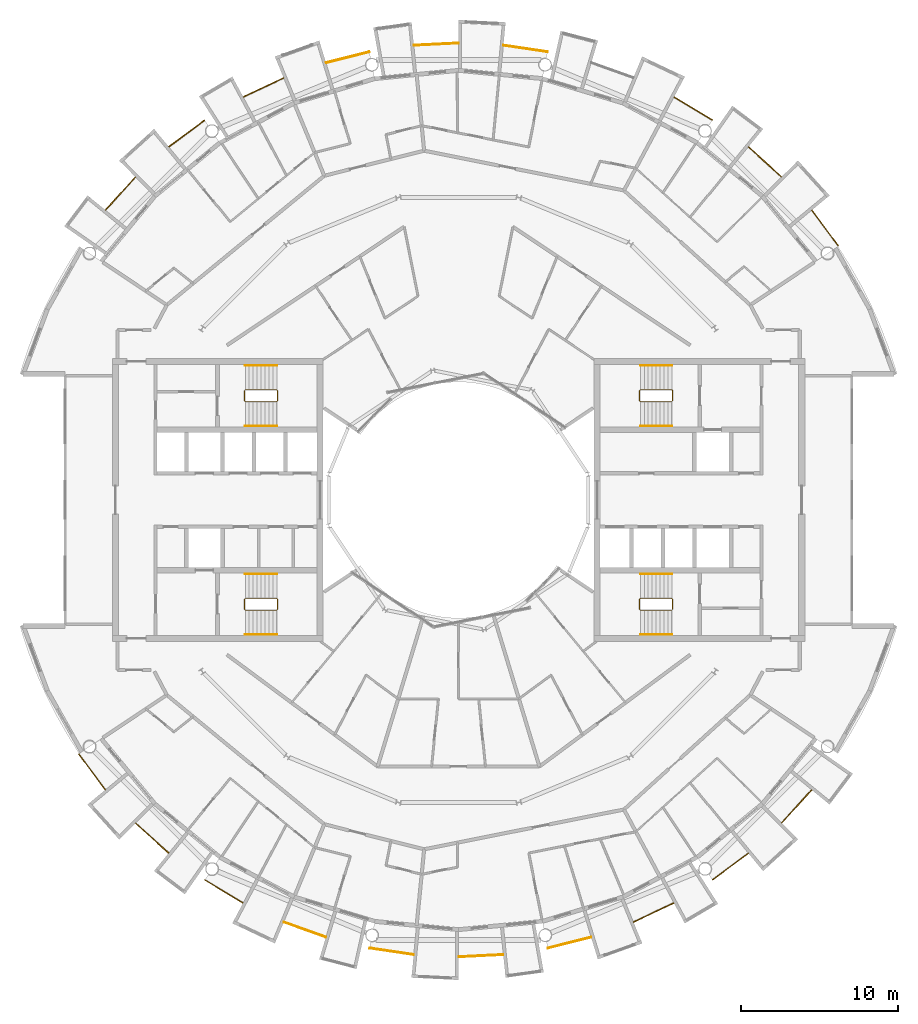
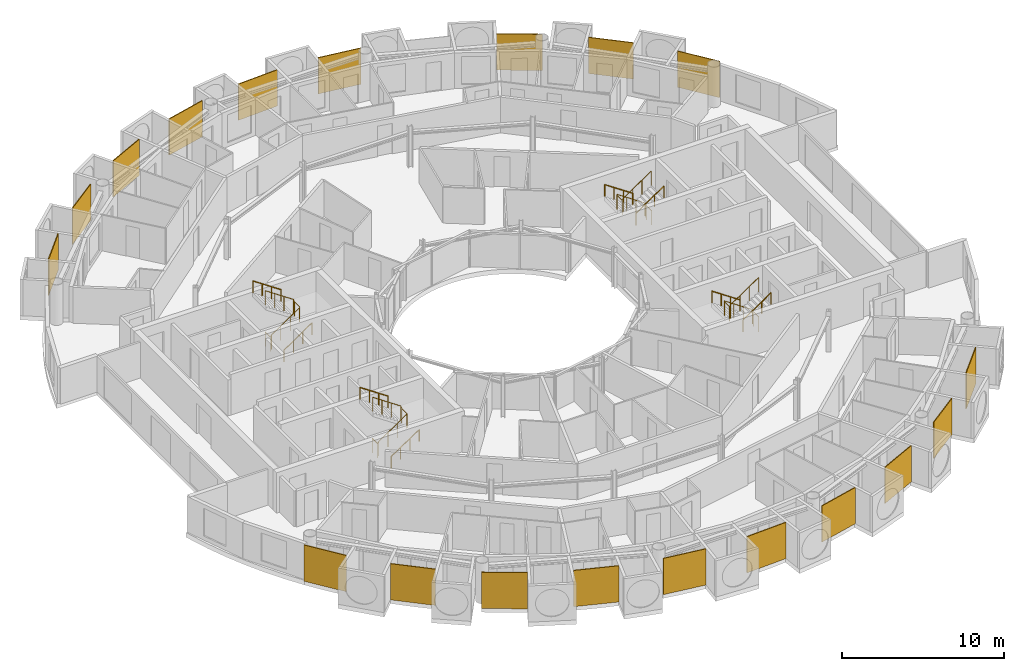
# One storey, part 27 of 28: 31 railings.
"""IFC4 building model written with IfcOpenShell, lengths in metres."""

from ifc_helpers import new_model, si_unit, direction, frame, origin, origin_2d, place, context, subcontext, project, spatial, polyline, circle, outline, extrude, material, layer, layer_set, type_object, element, save


model = new_model("IFC4")

# Units and contexts
model_context = context("Model", 3, precision=1e-05, world=origin(), true_north=direction((0.0, 1.0)))
body_context = subcontext(model_context, "Body", "Model", "MODEL_VIEW")
ifc_project = project(units=[si_unit("LENGTHUNIT", "METRE"), si_unit("AREAUNIT", "SQUARE_METRE"), si_unit("VOLUMEUNIT", "CUBIC_METRE"), si_unit("PLANEANGLEUNIT", "RADIAN"), si_unit("MASSUNIT", "GRAM", prefix="KILO")], contexts=[model_context])

# Site, building, storey
site_placement = place(None, origin())
site = spatial("IfcSite", under=ifc_project, at=site_placement, CompositionType="ELEMENT")
building_placement = place(site_placement, origin())
building = spatial("IfcBuilding", under=site, at=building_placement, Name="Maasbend Ring Residences", CompositionType="ELEMENT")
storey_placement = place(building_placement, frame((0.0, 0.0, 227.949951171875)))
storey = spatial("IfcBuildingStorey", under=building, at=storey_placement, Name="L65", CompositionType="ELEMENT", Elevation=227.949951171875)

# Railings
ifc_material_1 = material(Name="Pale anodised perforated aluminium", Category="aluminium")
ifc_layer = layer(ifc_material_1, 0.06005859375)
ifc_layer_set = layer_set([ifc_layer], Name="SCREEN-P")
railing_type_1 = type_object("IfcRailingType", Name="SCREEN-P", PredefinedType="GUARDRAIL", material=ifc_layer_set)
railing_1_placement = place(storey_placement, frame((0.0, 0.0, -0.030029296875)))
element("IfcRailing", 1, at=railing_1_placement, inside=storey, type_object=railing_type_1, Name="Perforated screen guard 1", PredefinedType="GUARDRAIL", context=body_context, shape_type="SweptSolid", body=[
    extrude(outline(polyline([(24.113037109375, 16.112060546875), (22.4169921875, 18.39697265625), (22.465087890625, 18.43310546875), (24.160888671875, 16.14697265625), (24.113037109375, 16.112060546875)])), origin(), (0.0, 0.0, 1.0), 2.72998046875),
])
railing_2_placement = place(storey_placement, frame((0.0, 0.0, -0.030029296875)))
element("IfcRailing", 2, at=railing_2_placement, inside=storey, type_object=railing_type_1, Name="Perforated screen guard 2", PredefinedType="GUARDRAIL", context=body_context, shape_type="SweptSolid", body=[
    extrude(outline(polyline([(20.506103515625, 20.506103515625), (18.39697265625, 22.4169921875), (18.43798828125, 22.4619140625), (20.5458984375, 20.551025390625), (20.506103515625, 20.506103515625)])), origin(), (0.0, 0.0, 1.0), 2.72998046875),
])
railing_3_placement = place(storey_placement, frame((0.0, 0.0, -0.030029296875)))
element("IfcRailing", 3, at=railing_3_placement, inside=storey, type_object=railing_type_1, Name="Perforated screen guard 3", PredefinedType="GUARDRAIL", context=body_context, shape_type="SweptSolid", body=[
    extrude(outline(polyline([(16.112060546875, 24.113037109375), (13.6708984375, 25.575927734375), (13.700927734375, 25.626953125), (16.14208984375, 24.1640625), (16.112060546875, 24.113037109375)])), origin(), (0.0, 0.0, 1.0), 2.72998046875),
])
railing_4_placement = place(storey_placement, frame((0.0, 0.0, -0.030029296875)))
element("IfcRailing", 4, at=railing_4_placement, inside=storey, type_object=railing_type_1, Name="Perforated screen guard 5", PredefinedType="GUARDRAIL", context=body_context, shape_type="SweptSolid", body=[
    extrude(outline(polyline([(5.657958984375, 28.443115234375), (2.842041015625, 28.860107421875), (2.85107421875, 28.919921875), (5.666015625, 28.501953125), (5.657958984375, 28.443115234375)])), origin(), (0.0, 0.0, 1.0), 2.72998046875),
])
railing_5_placement = place(storey_placement, frame((0.0, 0.0, -0.030029296875)))
element("IfcRailing", 5, at=railing_5_placement, inside=storey, type_object=railing_type_1, Name="Perforated screen guard 6", PredefinedType="GUARDRAIL", context=body_context, shape_type="SweptSolid", body=[
    extrude(outline(polyline([(0.0, 29.0), (-2.842041015625, 28.860107421875), (-2.844970703125, 28.919921875), (-0.0029296875, 29.06005859375), (0.0, 29.0)])), origin(), (0.0, 0.0, 1.0), 2.72998046875),
])
railing_6_placement = place(storey_placement, frame((0.0, 0.0, -0.030029296875)))
element("IfcRailing", 6, at=railing_6_placement, inside=storey, type_object=railing_type_1, Name="Perforated screen guard 7", PredefinedType="GUARDRAIL", context=body_context, shape_type="SweptSolid", body=[
    extrude(outline(polyline([(-5.657958984375, 28.443115234375), (-8.41796875, 27.7509765625), (-8.43310546875, 27.80908203125), (-5.672119140625, 28.5009765625), (-5.657958984375, 28.443115234375)])), origin(), (0.0, 0.0, 1.0), 2.72998046875),
])
railing_7_placement = place(storey_placement, frame((0.0, 0.0, -0.030029296875)))
element("IfcRailing", 7, at=railing_7_placement, inside=storey, type_object=railing_type_1, Name="Perforated screen guard 8", PredefinedType="GUARDRAIL", context=body_context, shape_type="SweptSolid", body=[
    extrude(outline(polyline([(-11.097900390625, 26.79296875), (-13.6708984375, 25.575927734375), (-13.696044921875, 25.6298828125), (-11.123046875, 26.846923828125), (-11.097900390625, 26.79296875)])), origin(), (0.0, 0.0, 1.0), 2.72998046875),
])
railing_8_placement = place(storey_placement, frame((0.0, 0.0, -0.030029296875)))
element("IfcRailing", 8, at=railing_8_placement, inside=storey, type_object=railing_type_1, Name="Perforated screen guard 9", PredefinedType="GUARDRAIL", context=body_context, shape_type="SweptSolid", body=[
    extrude(outline(polyline([(-16.112060546875, 24.113037109375), (-18.39697265625, 22.4169921875), (-18.43310546875, 22.465087890625), (-16.14697265625, 24.160888671875), (-16.112060546875, 24.113037109375)])), origin(), (0.0, 0.0, 1.0), 2.72998046875),
])
railing_9_placement = place(storey_placement, frame((0.0, 0.0, -0.030029296875)))
element("IfcRailing", 9, at=railing_9_placement, inside=storey, type_object=railing_type_1, Name="Perforated screen guard 10", PredefinedType="GUARDRAIL", context=body_context, shape_type="SweptSolid", body=[
    extrude(outline(polyline([(-20.506103515625, 20.506103515625), (-22.4169921875, 18.39697265625), (-22.4619140625, 18.43798828125), (-20.551025390625, 20.5458984375), (-20.506103515625, 20.506103515625)])), origin(), (0.0, 0.0, 1.0), 2.72998046875),
])
railing_10_placement = place(storey_placement, frame((0.0, 0.0, -0.030029296875)))
element("IfcRailing", 10, at=railing_10_placement, inside=storey, type_object=railing_type_1, Name="Perforated screen guard 1", PredefinedType="GUARDRAIL", context=body_context, shape_type="SweptSolid", body=[
    extrude(outline(polyline([(-24.113037109375, -16.112060546875), (-22.4169921875, -18.39697265625), (-22.465087890625, -18.43310546875), (-24.160888671875, -16.14697265625), (-24.113037109375, -16.112060546875)])), origin(), (0.0, 0.0, 1.0), 2.72998046875),
])
railing_11_placement = place(storey_placement, frame((0.0, 0.0, -0.030029296875)))
element("IfcRailing", 11, at=railing_11_placement, inside=storey, type_object=railing_type_1, Name="Perforated screen guard 2", PredefinedType="GUARDRAIL", context=body_context, shape_type="SweptSolid", body=[
    extrude(outline(polyline([(-20.506103515625, -20.506103515625), (-18.39697265625, -22.4169921875), (-18.43798828125, -22.4619140625), (-20.5458984375, -20.551025390625), (-20.506103515625, -20.506103515625)])), origin(), (0.0, 0.0, 1.0), 2.72998046875),
])
railing_12_placement = place(storey_placement, frame((0.0, 0.0, -0.030029296875)))
element("IfcRailing", 12, at=railing_12_placement, inside=storey, type_object=railing_type_1, Name="Perforated screen guard 3", PredefinedType="GUARDRAIL", context=body_context, shape_type="SweptSolid", body=[
    extrude(outline(polyline([(-16.112060546875, -24.113037109375), (-13.6708984375, -25.575927734375), (-13.700927734375, -25.626953125), (-16.14208984375, -24.1640625), (-16.112060546875, -24.113037109375)])), origin(), (0.0, 0.0, 1.0), 2.72998046875),
])
railing_13_placement = place(storey_placement, frame((0.0, 0.0, -0.030029296875)))
element("IfcRailing", 13, at=railing_13_placement, inside=storey, type_object=railing_type_1, Name="Perforated screen guard 4", PredefinedType="GUARDRAIL", context=body_context, shape_type="SweptSolid", body=[
    extrude(outline(polyline([(-11.097900390625, -26.79296875), (-8.41796875, -27.7509765625), (-8.43798828125, -27.80810546875), (-11.117919921875, -26.84912109375), (-11.097900390625, -26.79296875)])), origin(), (0.0, 0.0, 1.0), 2.72998046875),
])
railing_14_placement = place(storey_placement, frame((0.0, 0.0, -0.030029296875)))
element("IfcRailing", 14, at=railing_14_placement, inside=storey, type_object=railing_type_1, Name="Perforated screen guard 5", PredefinedType="GUARDRAIL", context=body_context, shape_type="SweptSolid", body=[
    extrude(outline(polyline([(-5.657958984375, -28.443115234375), (-2.842041015625, -28.860107421875), (-2.85107421875, -28.919921875), (-5.666015625, -28.501953125), (-5.657958984375, -28.443115234375)])), origin(), (0.0, 0.0, 1.0), 2.72998046875),
])
railing_15_placement = place(storey_placement, frame((0.0, 0.0, -0.030029296875)))
element("IfcRailing", 15, at=railing_15_placement, inside=storey, type_object=railing_type_1, Name="Perforated screen guard 6", PredefinedType="GUARDRAIL", context=body_context, shape_type="SweptSolid", body=[
    extrude(outline(polyline([(0.0, -29.0), (2.842041015625, -28.860107421875), (2.844970703125, -28.919921875), (0.0029296875, -29.06005859375), (0.0, -29.0)])), origin(), (0.0, 0.0, 1.0), 2.72998046875),
])
railing_16_placement = place(storey_placement, frame((0.0, 0.0, -0.030029296875)))
element("IfcRailing", 16, at=railing_16_placement, inside=storey, type_object=railing_type_1, Name="Perforated screen guard 7", PredefinedType="GUARDRAIL", context=body_context, shape_type="SweptSolid", body=[
    extrude(outline(polyline([(5.657958984375, -28.443115234375), (8.41796875, -27.7509765625), (8.43310546875, -27.80908203125), (5.672119140625, -28.5009765625), (5.657958984375, -28.443115234375)])), origin(), (0.0, 0.0, 1.0), 2.72998046875),
])
railing_17_placement = place(storey_placement, frame((0.0, 0.0, -0.030029296875)))
element("IfcRailing", 17, at=railing_17_placement, inside=storey, type_object=railing_type_1, Name="Perforated screen guard 8", PredefinedType="GUARDRAIL", context=body_context, shape_type="SweptSolid", body=[
    extrude(outline(polyline([(11.097900390625, -26.79296875), (13.6708984375, -25.575927734375), (13.696044921875, -25.6298828125), (11.123046875, -26.846923828125), (11.097900390625, -26.79296875)])), origin(), (0.0, 0.0, 1.0), 2.72998046875),
])
railing_18_placement = place(storey_placement, frame((0.0, 0.0, -0.030029296875)))
element("IfcRailing", 18, at=railing_18_placement, inside=storey, type_object=railing_type_1, Name="Perforated screen guard 9", PredefinedType="GUARDRAIL", context=body_context, shape_type="SweptSolid", body=[
    extrude(outline(polyline([(16.112060546875, -24.113037109375), (18.39697265625, -22.4169921875), (18.43310546875, -22.465087890625), (16.14697265625, -24.160888671875), (16.112060546875, -24.113037109375)])), origin(), (0.0, 0.0, 1.0), 2.72998046875),
])
railing_19_placement = place(storey_placement, frame((0.0, 0.0, -0.030029296875)))
element("IfcRailing", 19, at=railing_19_placement, inside=storey, type_object=railing_type_1, Name="Perforated screen guard 10", PredefinedType="GUARDRAIL", context=body_context, shape_type="SweptSolid", body=[
    extrude(outline(polyline([(20.506103515625, -20.506103515625), (22.4169921875, -18.39697265625), (22.4619140625, -18.43798828125), (20.551025390625, -20.5458984375), (20.506103515625, -20.506103515625)])), origin(), (0.0, 0.0, 1.0), 2.72998046875),
])
ifc_material_2 = material(Name="Stainless steel 316", Category="steel")
railing_type_2 = type_object("IfcRailingType", Name="STAIR GUARD 1100", PredefinedType="GUARDRAIL", material=ifc_material_2)
railing_20_placement = place(storey_placement, frame((13.60009765625, 6.300048828125, 0.0)))
element("IfcRailing", 20, at=railing_20_placement, inside=storey, type_object=railing_type_2, Name="L65 ST-E1 stair guard 1", PredefinedType="GUARDRAIL", context=body_context, shape_type="SweptSolid", body=[
    extrude(circle(Radius=0.02392578125, at=origin_2d()), frame((0.0, 0.0, 1.076171875), z_axis=(0.0, 1.0, 0.0), x_axis=(-1.0, 0.0, 0.0)), (0.0, 0.0, 1.0), 0.64990234375),
    extrude(circle(Radius=0.02392578125, at=origin_2d()), frame((0.0, 0.64990234375, 1.076171875), z_axis=(-0.272562526181, 0.272562526181, 0.92272386912), x_axis=(-0.707106781187, -0.707106781187, 0.0)), (0.0, 0.0, 1.0), 0.18359375),
    extrude(circle(Radius=0.02392578125, at=origin_2d()), frame((-0.050048828125, 0.699951171875, 1.24560546875), z_axis=(-0.827750655447, 0.0, 0.561096116906), x_axis=(0.0, -1.0, 0.0)), (0.0, 0.0, 1.0), 2.416259765625),
    extrude(circle(Radius=0.02392578125, at=origin_2d()), frame((-2.050048828125, 0.699951171875, 2.60107421875), z_axis=(-0.707106781187, -0.707106781187, 0.0), x_axis=(0.707106781187, -0.707106781187, 0.0)), (0.0, 0.0, 1.0), 0.07080078125),
    extrude(circle(Radius=0.02392578125, at=origin_2d()), frame((-2.10009765625, 0.64990234375, 2.60107421875), z_axis=(0.0, -1.0, 0.0), x_axis=(1.0, 0.0, 0.0)), (0.0, 0.0, 1.0), 0.64990234375),
    extrude(circle(Radius=0.02392578125, at=origin_2d()), frame((-2.10009765625, 0.0, 2.60107421875), z_axis=(0.272562526181, -0.272562526181, 0.92272386912), x_axis=(0.707106781187, 0.707106781187, 0.0)), (0.0, 0.0, 1.0), 0.18359375),
    extrude(circle(Radius=0.02392578125, at=origin_2d()), frame((-2.050048828125, -0.050048828125, 2.7705078125), z_axis=(0.827797584762, 0.0, 0.561026878735), x_axis=(0.0, 1.0, 0.0)), (0.0, 0.0, 1.0), 2.416015625),
    extrude(circle(Radius=0.02099609375, at=origin_2d()), origin(), (0.0, 0.0, 1.0), 1.052001953125),
    extrude(circle(Radius=0.02099609375, at=origin_2d()), frame((0.0, 0.64990234375, 0.0)), (0.0, 0.0, 1.0), 1.052001953125),
    extrude(circle(Radius=0.02099609375, at=origin_2d()), frame((-0.050048828125, 0.699951171875, 0.16943359375)), (0.0, 0.0, 1.0), 1.052001953125),
    extrude(circle(Radius=0.02099609375, at=origin_2d()), frame((-0.716796875, 0.699951171875, 0.621337890625)), (0.0, 0.0, 1.0), 1.052001953125),
    extrude(circle(Radius=0.02099609375, at=origin_2d()), frame((-1.38330078125, 0.699951171875, 1.0732421875)), (0.0, 0.0, 1.0), 1.052001953125),
    extrude(circle(Radius=0.02099609375, at=origin_2d()), frame((-2.050048828125, 0.699951171875, 1.525146484375)), (0.0, 0.0, 1.0), 1.052001953125),
    extrude(circle(Radius=0.02099609375, at=origin_2d()), frame((-2.10009765625, 0.64990234375, 1.525146484375)), (0.0, 0.0, 1.0), 1.052001953125),
    extrude(circle(Radius=0.02099609375, at=origin_2d()), frame((-2.10009765625, 0.0, 1.525146484375)), (0.0, 0.0, 1.0), 1.052001953125),
    extrude(circle(Radius=0.02099609375, at=origin_2d()), frame((-2.050048828125, -0.050048828125, 1.694580078125)), (0.0, 0.0, 1.0), 1.052001953125),
    extrude(circle(Radius=0.02099609375, at=origin_2d()), frame((-1.38330078125, -0.050048828125, 2.146484375)), (0.0, 0.0, 1.0), 1.052001953125),
    extrude(circle(Radius=0.02099609375, at=origin_2d()), frame((-0.716796875, -0.050048828125, 2.59814453125)), (0.0, 0.0, 1.0), 1.052001953125),
    extrude(circle(Radius=0.02099609375, at=origin_2d()), frame((-0.050048828125, -0.050048828125, 3.050048828125)), (0.0, 0.0, 1.0), 1.052001953125),
])
railing_21_placement = place(storey_placement, frame((13.60009765625, -6.949951171875, 0.0)))
element("IfcRailing", 21, at=railing_21_placement, inside=storey, type_object=railing_type_2, Name="L65 ST-E2 stair guard 1", PredefinedType="GUARDRAIL", context=body_context, shape_type="SweptSolid", body=[
    extrude(circle(Radius=0.02392578125, at=origin_2d()), frame((0.0, 0.0, 1.076171875), z_axis=(0.0, 1.0, 0.0), x_axis=(-1.0, 0.0, 0.0)), (0.0, 0.0, 1.0), 0.64990234375),
    extrude(circle(Radius=0.02392578125, at=origin_2d()), frame((0.0, 0.64990234375, 1.076171875), z_axis=(-0.272562526181, 0.272562526181, 0.92272386912), x_axis=(-0.707106781187, -0.707106781187, 0.0)), (0.0, 0.0, 1.0), 0.18359375),
    extrude(circle(Radius=0.02392578125, at=origin_2d()), frame((-0.050048828125, 0.699951171875, 1.24560546875), z_axis=(-0.827750655447, 0.0, 0.561096116906), x_axis=(0.0, -1.0, 0.0)), (0.0, 0.0, 1.0), 2.416259765625),
    extrude(circle(Radius=0.02392578125, at=origin_2d()), frame((-2.050048828125, 0.699951171875, 2.60107421875), z_axis=(-0.707106781187, -0.707106781187, 0.0), x_axis=(0.707106781187, -0.707106781187, 0.0)), (0.0, 0.0, 1.0), 0.07080078125),
    extrude(circle(Radius=0.02392578125, at=origin_2d()), frame((-2.10009765625, 0.64990234375, 2.60107421875), z_axis=(0.0, -1.0, 0.0), x_axis=(1.0, 0.0, 0.0)), (0.0, 0.0, 1.0), 0.64990234375),
    extrude(circle(Radius=0.02392578125, at=origin_2d()), frame((-2.10009765625, 0.0, 2.60107421875), z_axis=(0.272562526181, -0.272562526181, 0.92272386912), x_axis=(0.707106781187, 0.707106781187, 0.0)), (0.0, 0.0, 1.0), 0.18359375),
    extrude(circle(Radius=0.02392578125, at=origin_2d()), frame((-2.050048828125, -0.050048828125, 2.7705078125), z_axis=(0.827797584762, 0.0, 0.561026878735), x_axis=(0.0, 1.0, 0.0)), (0.0, 0.0, 1.0), 2.416015625),
    extrude(circle(Radius=0.02099609375, at=origin_2d()), origin(), (0.0, 0.0, 1.0), 1.052001953125),
    extrude(circle(Radius=0.02099609375, at=origin_2d()), frame((0.0, 0.64990234375, 0.0)), (0.0, 0.0, 1.0), 1.052001953125),
    extrude(circle(Radius=0.02099609375, at=origin_2d()), frame((-0.050048828125, 0.699951171875, 0.16943359375)), (0.0, 0.0, 1.0), 1.052001953125),
    extrude(circle(Radius=0.02099609375, at=origin_2d()), frame((-0.716796875, 0.699951171875, 0.621337890625)), (0.0, 0.0, 1.0), 1.052001953125),
    extrude(circle(Radius=0.02099609375, at=origin_2d()), frame((-1.38330078125, 0.699951171875, 1.0732421875)), (0.0, 0.0, 1.0), 1.052001953125),
    extrude(circle(Radius=0.02099609375, at=origin_2d()), frame((-2.050048828125, 0.699951171875, 1.525146484375)), (0.0, 0.0, 1.0), 1.052001953125),
    extrude(circle(Radius=0.02099609375, at=origin_2d()), frame((-2.10009765625, 0.64990234375, 1.525146484375)), (0.0, 0.0, 1.0), 1.052001953125),
    extrude(circle(Radius=0.02099609375, at=origin_2d()), frame((-2.10009765625, 0.0, 1.525146484375)), (0.0, 0.0, 1.0), 1.052001953125),
    extrude(circle(Radius=0.02099609375, at=origin_2d()), frame((-2.050048828125, -0.050048828125, 1.694580078125)), (0.0, 0.0, 1.0), 1.052001953125),
    extrude(circle(Radius=0.02099609375, at=origin_2d()), frame((-1.38330078125, -0.050048828125, 2.146484375)), (0.0, 0.0, 1.0), 1.052001953125),
    extrude(circle(Radius=0.02099609375, at=origin_2d()), frame((-0.716796875, -0.050048828125, 2.59814453125)), (0.0, 0.0, 1.0), 1.052001953125),
    extrude(circle(Radius=0.02099609375, at=origin_2d()), frame((-0.050048828125, -0.050048828125, 3.050048828125)), (0.0, 0.0, 1.0), 1.052001953125),
])
railing_22_placement = place(storey_placement, frame((-13.60009765625, -6.300048828125, 0.0)))
element("IfcRailing", 22, at=railing_22_placement, inside=storey, type_object=railing_type_2, Name="L65 ST-W1 stair guard 1", PredefinedType="GUARDRAIL", context=body_context, shape_type="SweptSolid", body=[
    extrude(circle(Radius=0.02392578125, at=origin_2d()), frame((0.0, 0.0, 1.076171875), z_axis=(0.0, -1.0, 0.0), x_axis=(1.0, 0.0, 0.0)), (0.0, 0.0, 1.0), 0.64990234375),
    extrude(circle(Radius=0.02392578125, at=origin_2d()), frame((0.0, -0.64990234375, 1.076171875), z_axis=(0.272562526181, -0.272562526181, 0.92272386912), x_axis=(0.707106781187, 0.707106781187, 0.0)), (0.0, 0.0, 1.0), 0.18359375),
    extrude(circle(Radius=0.02392578125, at=origin_2d()), frame((0.050048828125, -0.699951171875, 1.24560546875), z_axis=(0.827750655447, 0.0, 0.561096116906), x_axis=(0.0, 1.0, 0.0)), (0.0, 0.0, 1.0), 2.416259765625),
    extrude(circle(Radius=0.02392578125, at=origin_2d()), frame((2.050048828125, -0.699951171875, 2.60107421875), z_axis=(0.707106781187, 0.707106781187, 0.0), x_axis=(-0.707106781187, 0.707106781187, 0.0)), (0.0, 0.0, 1.0), 0.07080078125),
    extrude(circle(Radius=0.02392578125, at=origin_2d()), frame((2.10009765625, -0.64990234375, 2.60107421875), z_axis=(0.0, 1.0, 0.0), x_axis=(-1.0, 0.0, 0.0)), (0.0, 0.0, 1.0), 0.64990234375),
    extrude(circle(Radius=0.02392578125, at=origin_2d()), frame((2.10009765625, 0.0, 2.60107421875), z_axis=(-0.272562526181, 0.272562526181, 0.92272386912), x_axis=(-0.707106781187, -0.707106781187, 0.0)), (0.0, 0.0, 1.0), 0.18359375),
    extrude(circle(Radius=0.02392578125, at=origin_2d()), frame((2.050048828125, 0.050048828125, 2.7705078125), z_axis=(-0.827797584762, 0.0, 0.561026878735), x_axis=(0.0, -1.0, 0.0)), (0.0, 0.0, 1.0), 2.416015625),
    extrude(circle(Radius=0.02099609375, at=origin_2d()), origin(), (0.0, 0.0, 1.0), 1.052001953125),
    extrude(circle(Radius=0.02099609375, at=origin_2d()), frame((0.0, -0.64990234375, 0.0)), (0.0, 0.0, 1.0), 1.052001953125),
    extrude(circle(Radius=0.02099609375, at=origin_2d()), frame((0.050048828125, -0.699951171875, 0.16943359375)), (0.0, 0.0, 1.0), 1.052001953125),
    extrude(circle(Radius=0.02099609375, at=origin_2d()), frame((0.716796875, -0.699951171875, 0.621337890625)), (0.0, 0.0, 1.0), 1.052001953125),
    extrude(circle(Radius=0.02099609375, at=origin_2d()), frame((1.38330078125, -0.699951171875, 1.0732421875)), (0.0, 0.0, 1.0), 1.052001953125),
    extrude(circle(Radius=0.02099609375, at=origin_2d()), frame((2.050048828125, -0.699951171875, 1.525146484375)), (0.0, 0.0, 1.0), 1.052001953125),
    extrude(circle(Radius=0.02099609375, at=origin_2d()), frame((2.10009765625, -0.64990234375, 1.525146484375)), (0.0, 0.0, 1.0), 1.052001953125),
    extrude(circle(Radius=0.02099609375, at=origin_2d()), frame((2.10009765625, 0.0, 1.525146484375)), (0.0, 0.0, 1.0), 1.052001953125),
    extrude(circle(Radius=0.02099609375, at=origin_2d()), frame((2.050048828125, 0.050048828125, 1.694580078125)), (0.0, 0.0, 1.0), 1.052001953125),
    extrude(circle(Radius=0.02099609375, at=origin_2d()), frame((1.38330078125, 0.050048828125, 2.146484375)), (0.0, 0.0, 1.0), 1.052001953125),
    extrude(circle(Radius=0.02099609375, at=origin_2d()), frame((0.716796875, 0.050048828125, 2.59814453125)), (0.0, 0.0, 1.0), 1.052001953125),
    extrude(circle(Radius=0.02099609375, at=origin_2d()), frame((0.050048828125, 0.050048828125, 3.050048828125)), (0.0, 0.0, 1.0), 1.052001953125),
])
railing_23_placement = place(storey_placement, frame((-13.60009765625, 6.949951171875, 0.0)))
element("IfcRailing", 23, at=railing_23_placement, inside=storey, type_object=railing_type_2, Name="L65 ST-W2 stair guard 1", PredefinedType="GUARDRAIL", context=body_context, shape_type="SweptSolid", body=[
    extrude(circle(Radius=0.02392578125, at=origin_2d()), frame((0.0, 0.0, 1.076171875), z_axis=(0.0, -1.0, 0.0), x_axis=(1.0, 0.0, 0.0)), (0.0, 0.0, 1.0), 0.64990234375),
    extrude(circle(Radius=0.02392578125, at=origin_2d()), frame((0.0, -0.64990234375, 1.076171875), z_axis=(0.272562526181, -0.272562526181, 0.92272386912), x_axis=(0.707106781187, 0.707106781187, 0.0)), (0.0, 0.0, 1.0), 0.18359375),
    extrude(circle(Radius=0.02392578125, at=origin_2d()), frame((0.050048828125, -0.699951171875, 1.24560546875), z_axis=(0.827750655447, 0.0, 0.561096116906), x_axis=(0.0, 1.0, 0.0)), (0.0, 0.0, 1.0), 2.416259765625),
    extrude(circle(Radius=0.02392578125, at=origin_2d()), frame((2.050048828125, -0.699951171875, 2.60107421875), z_axis=(0.707106781187, 0.707106781187, 0.0), x_axis=(-0.707106781187, 0.707106781187, 0.0)), (0.0, 0.0, 1.0), 0.07080078125),
    extrude(circle(Radius=0.02392578125, at=origin_2d()), frame((2.10009765625, -0.64990234375, 2.60107421875), z_axis=(0.0, 1.0, 0.0), x_axis=(-1.0, 0.0, 0.0)), (0.0, 0.0, 1.0), 0.64990234375),
    extrude(circle(Radius=0.02392578125, at=origin_2d()), frame((2.10009765625, 0.0, 2.60107421875), z_axis=(-0.272562526181, 0.272562526181, 0.92272386912), x_axis=(-0.707106781187, -0.707106781187, 0.0)), (0.0, 0.0, 1.0), 0.18359375),
    extrude(circle(Radius=0.02392578125, at=origin_2d()), frame((2.050048828125, 0.050048828125, 2.7705078125), z_axis=(-0.827797584762, 0.0, 0.561026878735), x_axis=(0.0, -1.0, 0.0)), (0.0, 0.0, 1.0), 2.416015625),
    extrude(circle(Radius=0.02099609375, at=origin_2d()), origin(), (0.0, 0.0, 1.0), 1.052001953125),
    extrude(circle(Radius=0.02099609375, at=origin_2d()), frame((0.0, -0.64990234375, 0.0)), (0.0, 0.0, 1.0), 1.052001953125),
    extrude(circle(Radius=0.02099609375, at=origin_2d()), frame((0.050048828125, -0.699951171875, 0.16943359375)), (0.0, 0.0, 1.0), 1.052001953125),
    extrude(circle(Radius=0.02099609375, at=origin_2d()), frame((0.716796875, -0.699951171875, 0.621337890625)), (0.0, 0.0, 1.0), 1.052001953125),
    extrude(circle(Radius=0.02099609375, at=origin_2d()), frame((1.38330078125, -0.699951171875, 1.0732421875)), (0.0, 0.0, 1.0), 1.052001953125),
    extrude(circle(Radius=0.02099609375, at=origin_2d()), frame((2.050048828125, -0.699951171875, 1.525146484375)), (0.0, 0.0, 1.0), 1.052001953125),
    extrude(circle(Radius=0.02099609375, at=origin_2d()), frame((2.10009765625, -0.64990234375, 1.525146484375)), (0.0, 0.0, 1.0), 1.052001953125),
    extrude(circle(Radius=0.02099609375, at=origin_2d()), frame((2.10009765625, 0.0, 1.525146484375)), (0.0, 0.0, 1.0), 1.052001953125),
    extrude(circle(Radius=0.02099609375, at=origin_2d()), frame((2.050048828125, 0.050048828125, 1.694580078125)), (0.0, 0.0, 1.0), 1.052001953125),
    extrude(circle(Radius=0.02099609375, at=origin_2d()), frame((1.38330078125, 0.050048828125, 2.146484375)), (0.0, 0.0, 1.0), 1.052001953125),
    extrude(circle(Radius=0.02099609375, at=origin_2d()), frame((0.716796875, 0.050048828125, 2.59814453125)), (0.0, 0.0, 1.0), 1.052001953125),
    extrude(circle(Radius=0.02099609375, at=origin_2d()), frame((0.050048828125, 0.050048828125, 3.050048828125)), (0.0, 0.0, 1.0), 1.052001953125),
])
ifc_material_3 = material(Name="Stainless steel 316", Category="steel")
railing_type_3 = type_object("IfcRailingType", Name="STAIR HANDRAIL 900", PredefinedType="HANDRAIL", material=ifc_material_3)
railing_24_placement = place(storey_placement, frame((13.550048828125, 8.550048828125, 0.16943359375)))
element("IfcRailing", 24, at=railing_24_placement, inside=storey, type_object=railing_type_3, Name="L65 ST-E1 stair handrail 1", PredefinedType="HANDRAIL", context=body_context, shape_type="SweptSolid", body=[
    extrude(circle(Radius=0.02392578125, at=origin_2d()), frame((0.0, 0.0, 0.8759765625), z_axis=(-0.827750655447, 0.0, 0.561096116906), x_axis=(0.0, -1.0, 0.0)), (0.0, 0.0, 1.0), 2.416259765625),
    extrude(circle(Radius=0.02099609375, at=origin_2d()), origin(), (0.0, 0.0, 1.0), 0.851806640625),
    extrude(circle(Radius=0.02099609375, at=origin_2d()), frame((-0.666748046875, 0.0, 0.451904296875)), (0.0, 0.0, 1.0), 0.851806640625),
    extrude(circle(Radius=0.02099609375, at=origin_2d()), frame((-1.333251953125, 0.0, 0.90380859375)), (0.0, 0.0, 1.0), 0.851806640625),
    extrude(circle(Radius=0.02099609375, at=origin_2d()), frame((-2.0, 0.0, 1.355712890625)), (0.0, 0.0, 1.0), 0.851806640625),
])
railing_25_placement = place(storey_placement, frame((11.550048828125, 4.699951171875, 1.694580078125)))
element("IfcRailing", 25, at=railing_25_placement, inside=storey, type_object=railing_type_3, Name="L65 ST-E1 stair handrail 2", PredefinedType="HANDRAIL", context=body_context, shape_type="SweptSolid", body=[
    extrude(circle(Radius=0.02392578125, at=origin_2d()), frame((0.0, 0.0, 0.8759765625), z_axis=(0.827797584762, 0.0, 0.561026878735), x_axis=(0.0, 1.0, 0.0)), (0.0, 0.0, 1.0), 2.416015625),
    extrude(circle(Radius=0.02099609375, at=origin_2d()), origin(), (0.0, 0.0, 1.0), 0.851806640625),
    extrude(circle(Radius=0.02099609375, at=origin_2d()), frame((0.666748046875, 0.0, 0.451904296875)), (0.0, 0.0, 1.0), 0.851806640625),
    extrude(circle(Radius=0.02099609375, at=origin_2d()), frame((1.333251953125, 0.0, 0.903564453125)), (0.0, 0.0, 1.0), 0.851806640625),
    extrude(circle(Radius=0.02099609375, at=origin_2d()), frame((2.0, 0.0, 1.35546875)), (0.0, 0.0, 1.0), 0.851806640625),
])
railing_26_placement = place(storey_placement, frame((13.550048828125, -4.699951171875, 0.16943359375)))
element("IfcRailing", 26, at=railing_26_placement, inside=storey, type_object=railing_type_3, Name="L65 ST-E2 stair handrail 1", PredefinedType="HANDRAIL", context=body_context, shape_type="SweptSolid", body=[
    extrude(circle(Radius=0.02392578125, at=origin_2d()), frame((0.0, 0.0, 0.8759765625), z_axis=(-0.827750655447, 0.0, 0.561096116906), x_axis=(0.0, -1.0, 0.0)), (0.0, 0.0, 1.0), 2.416259765625),
    extrude(circle(Radius=0.02099609375, at=origin_2d()), origin(), (0.0, 0.0, 1.0), 0.851806640625),
    extrude(circle(Radius=0.02099609375, at=origin_2d()), frame((-0.666748046875, 0.0, 0.451904296875)), (0.0, 0.0, 1.0), 0.851806640625),
    extrude(circle(Radius=0.02099609375, at=origin_2d()), frame((-1.333251953125, 0.0, 0.90380859375)), (0.0, 0.0, 1.0), 0.851806640625),
    extrude(circle(Radius=0.02099609375, at=origin_2d()), frame((-2.0, 0.0, 1.355712890625)), (0.0, 0.0, 1.0), 0.851806640625),
])
railing_27_placement = place(storey_placement, frame((11.550048828125, -8.550048828125, 1.694580078125)))
element("IfcRailing", 27, at=railing_27_placement, inside=storey, type_object=railing_type_3, Name="L65 ST-E2 stair handrail 2", PredefinedType="HANDRAIL", context=body_context, shape_type="SweptSolid", body=[
    extrude(circle(Radius=0.02392578125, at=origin_2d()), frame((0.0, 0.0, 0.8759765625), z_axis=(0.827797584762, 0.0, 0.561026878735), x_axis=(0.0, 1.0, 0.0)), (0.0, 0.0, 1.0), 2.416015625),
    extrude(circle(Radius=0.02099609375, at=origin_2d()), origin(), (0.0, 0.0, 1.0), 0.851806640625),
    extrude(circle(Radius=0.02099609375, at=origin_2d()), frame((0.666748046875, 0.0, 0.451904296875)), (0.0, 0.0, 1.0), 0.851806640625),
    extrude(circle(Radius=0.02099609375, at=origin_2d()), frame((1.333251953125, 0.0, 0.903564453125)), (0.0, 0.0, 1.0), 0.851806640625),
    extrude(circle(Radius=0.02099609375, at=origin_2d()), frame((2.0, 0.0, 1.35546875)), (0.0, 0.0, 1.0), 0.851806640625),
])
railing_28_placement = place(storey_placement, frame((-13.550048828125, -8.550048828125, 0.16943359375)))
element("IfcRailing", 28, at=railing_28_placement, inside=storey, type_object=railing_type_3, Name="L65 ST-W1 stair handrail 1", PredefinedType="HANDRAIL", context=body_context, shape_type="SweptSolid", body=[
    extrude(circle(Radius=0.02392578125, at=origin_2d()), frame((0.0, 0.0, 0.8759765625), z_axis=(0.827750655447, 0.0, 0.561096116906), x_axis=(0.0, 1.0, 0.0)), (0.0, 0.0, 1.0), 2.416259765625),
    extrude(circle(Radius=0.02099609375, at=origin_2d()), origin(), (0.0, 0.0, 1.0), 0.851806640625),
    extrude(circle(Radius=0.02099609375, at=origin_2d()), frame((0.666748046875, 0.0, 0.451904296875)), (0.0, 0.0, 1.0), 0.851806640625),
    extrude(circle(Radius=0.02099609375, at=origin_2d()), frame((1.333251953125, 0.0, 0.90380859375)), (0.0, 0.0, 1.0), 0.851806640625),
    extrude(circle(Radius=0.02099609375, at=origin_2d()), frame((2.0, 0.0, 1.355712890625)), (0.0, 0.0, 1.0), 0.851806640625),
])
railing_29_placement = place(storey_placement, frame((-11.550048828125, -4.699951171875, 1.694580078125)))
element("IfcRailing", 29, at=railing_29_placement, inside=storey, type_object=railing_type_3, Name="L65 ST-W1 stair handrail 2", PredefinedType="HANDRAIL", context=body_context, shape_type="SweptSolid", body=[
    extrude(circle(Radius=0.02392578125, at=origin_2d()), frame((0.0, 0.0, 0.8759765625), z_axis=(-0.827797584762, 0.0, 0.561026878735), x_axis=(0.0, -1.0, 0.0)), (0.0, 0.0, 1.0), 2.416015625),
    extrude(circle(Radius=0.02099609375, at=origin_2d()), origin(), (0.0, 0.0, 1.0), 0.851806640625),
    extrude(circle(Radius=0.02099609375, at=origin_2d()), frame((-0.666748046875, 0.0, 0.451904296875)), (0.0, 0.0, 1.0), 0.851806640625),
    extrude(circle(Radius=0.02099609375, at=origin_2d()), frame((-1.333251953125, 0.0, 0.903564453125)), (0.0, 0.0, 1.0), 0.851806640625),
    extrude(circle(Radius=0.02099609375, at=origin_2d()), frame((-2.0, 0.0, 1.35546875)), (0.0, 0.0, 1.0), 0.851806640625),
])
railing_30_placement = place(storey_placement, frame((-13.550048828125, 4.699951171875, 0.16943359375)))
element("IfcRailing", 30, at=railing_30_placement, inside=storey, type_object=railing_type_3, Name="L65 ST-W2 stair handrail 1", PredefinedType="HANDRAIL", context=body_context, shape_type="SweptSolid", body=[
    extrude(circle(Radius=0.02392578125, at=origin_2d()), frame((0.0, 0.0, 0.8759765625), z_axis=(0.827750655447, 0.0, 0.561096116906), x_axis=(0.0, 1.0, 0.0)), (0.0, 0.0, 1.0), 2.416259765625),
    extrude(circle(Radius=0.02099609375, at=origin_2d()), origin(), (0.0, 0.0, 1.0), 0.851806640625),
    extrude(circle(Radius=0.02099609375, at=origin_2d()), frame((0.666748046875, 0.0, 0.451904296875)), (0.0, 0.0, 1.0), 0.851806640625),
    extrude(circle(Radius=0.02099609375, at=origin_2d()), frame((1.333251953125, 0.0, 0.90380859375)), (0.0, 0.0, 1.0), 0.851806640625),
    extrude(circle(Radius=0.02099609375, at=origin_2d()), frame((2.0, 0.0, 1.355712890625)), (0.0, 0.0, 1.0), 0.851806640625),
])
railing_31_placement = place(storey_placement, frame((-11.550048828125, 8.550048828125, 1.694580078125)))
element("IfcRailing", 31, at=railing_31_placement, inside=storey, type_object=railing_type_3, Name="L65 ST-W2 stair handrail 2", PredefinedType="HANDRAIL", context=body_context, shape_type="SweptSolid", body=[
    extrude(circle(Radius=0.02392578125, at=origin_2d()), frame((0.0, 0.0, 0.8759765625), z_axis=(-0.827797584762, 0.0, 0.561026878735), x_axis=(0.0, -1.0, 0.0)), (0.0, 0.0, 1.0), 2.416015625),
    extrude(circle(Radius=0.02099609375, at=origin_2d()), origin(), (0.0, 0.0, 1.0), 0.851806640625),
    extrude(circle(Radius=0.02099609375, at=origin_2d()), frame((-0.666748046875, 0.0, 0.451904296875)), (0.0, 0.0, 1.0), 0.851806640625),
    extrude(circle(Radius=0.02099609375, at=origin_2d()), frame((-1.333251953125, 0.0, 0.903564453125)), (0.0, 0.0, 1.0), 0.851806640625),
    extrude(circle(Radius=0.02099609375, at=origin_2d()), frame((-2.0, 0.0, 1.35546875)), (0.0, 0.0, 1.0), 0.851806640625),
])

save(model, "model.ifc")
